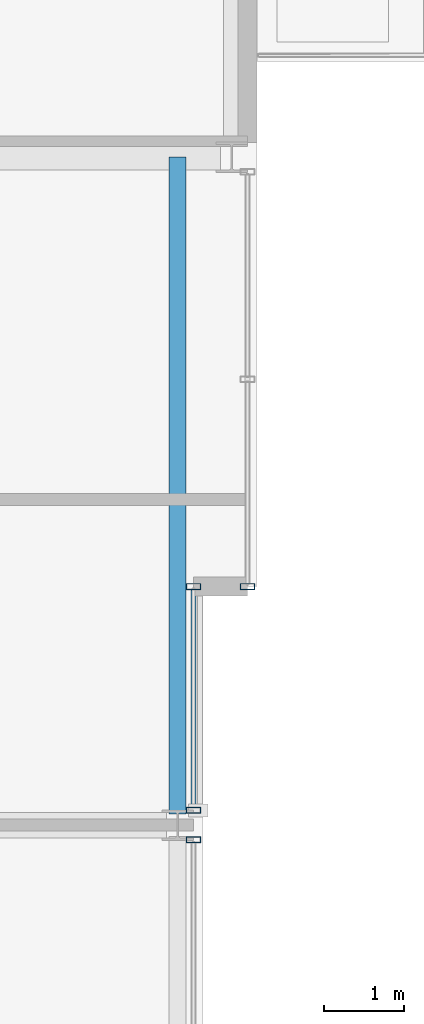
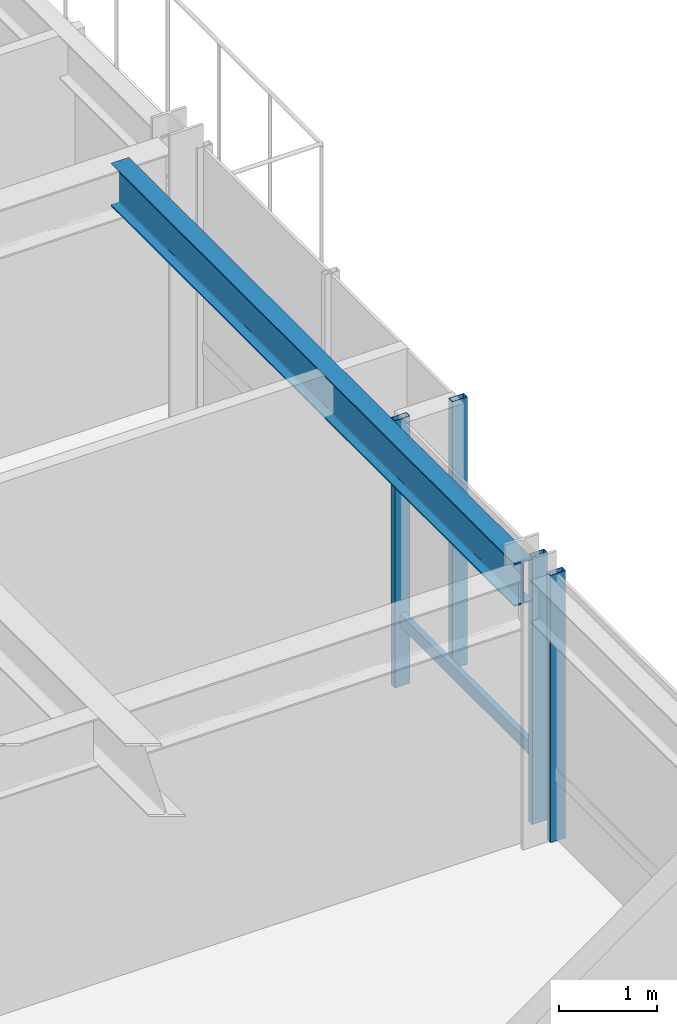
# One storey, part 16 of 33: 5 members, 1 beam, 3 elements without a shape of their own.
"""IFC4 building model written with IfcOpenShell, lengths in metres."""

from ifc_helpers import new_model, si_unit, direction, frame, origin, origin_2d, place, context, subcontext, project, spatial, hollow_rectangle, i_section, extrude, material, layer, layer_set, material_profile, profile_set, type_object, element, aggregate, save


model = new_model("IFC4")

# Units and contexts
model_context = context("Model", 3, precision=1e-05, world=origin(), true_north=direction((0.0, 1.0)))
body_context = subcontext(model_context, "Body", "Model", "MODEL_VIEW")
ifc_project = project(units=[si_unit("LENGTHUNIT", "METRE"), si_unit("AREAUNIT", "SQUARE_METRE"), si_unit("VOLUMEUNIT", "CUBIC_METRE"), si_unit("PLANEANGLEUNIT", "RADIAN"), si_unit("MASSUNIT", "GRAM", prefix="KILO")], contexts=[model_context])

# Site, building, storey
site_placement = place(None, origin())
site = spatial("IfcSite", under=ifc_project, at=site_placement, CompositionType="ELEMENT")
building_placement = place(site_placement, origin())
building = spatial("IfcBuilding", under=site, at=building_placement, Name="Drelvath Grand Hotel", CompositionType="ELEMENT")
storey_placement = place(building_placement, frame((0.0, 0.0, 212.300048828125)))
storey = spatial("IfcBuildingStorey", under=building, at=storey_placement, Name="L55", CompositionType="ELEMENT", Elevation=212.300048828125)

# Curtain wall, member
ifc_material_1 = material(Name="Platinum-Mist Anodised Aluminium Frame", Category="aluminium")
ifc_layer = layer(ifc_material_1, 0.199951171875)
ifc_layer_set = layer_set([ifc_layer], Name="Platinum-Mist Anodised Aluminium Frame")
curtain_wall_type = type_object("IfcCurtainWallType", Name="Stick Curtain Wall CW-05 Platinum Mist High-Rise", PredefinedType="NOTDEFINED", material=ifc_layer_set)
curtain_wall_1_placement = place(storey_placement, origin())
curtain_wall_1 = element("IfcCurtainWall", 1, at=curtain_wall_1_placement, inside=storey, type_object=curtain_wall_type, Name="L55 CW-05 Curtain Wall CW05-L55-EM2", PredefinedType="NOTDEFINED")
ifc_material_profile_1 = material_profile(ifc_material_1, hollow_rectangle(XDim=0.06494140625, YDim=0.159912109375, WallThickness=0.00390625, at=origin_2d()), Name="HSS160X65X4")
ifc_profile_set_1 = profile_set([ifc_material_profile_1], Name="Platinum-Mist Anodised Aluminium Frame")
member_type_1 = type_object("IfcMemberType", Name="Curtain Wall Horizontal Transom CW-05 HSS160X65X4", PredefinedType="USERDEFINED", material=ifc_profile_set_1)
member_1_placement = place(storey_placement, frame((21.39990234375, 29.9599609375, 0.8349609375), z_axis=(0.0, -1.0, 0.0), x_axis=(1.0, 0.0, 0.0)))
member_1 = element("IfcMember", 2, at=member_1_placement, type_object=member_type_1, Name="CW05-L55-EM2 Sill Transom", ObjectType="TRANSOM", PredefinedType="USERDEFINED", context=body_context, shape_type="SweptSolid", body=[
    extrude(hollow_rectangle(XDim=0.06494140625, YDim=0.159912109375, WallThickness=0.00390625, at=origin_2d()), origin(), (0.0, 0.0, 1.0), 2.734619140625),
])

curtain_wall_2_placement = place(storey_placement, origin())
curtain_wall_2 = element("IfcCurtainWall", 3, at=curtain_wall_2_placement, inside=storey, type_object=curtain_wall_type, Name="L55 CW-05 Curtain Wall CW05-L55-EN1", PredefinedType="NOTDEFINED")
ifc_material_profile_2 = material_profile(ifc_material_1, hollow_rectangle(XDim=0.074951171875, YDim=0.179931640625, WallThickness=0.0048828125, at=origin_2d()), Name="HSS180X75X5")
ifc_profile_set_2 = profile_set([ifc_material_profile_2], Name="Platinum-Mist Anodised Aluminium Frame")
member_type_2 = type_object("IfcMemberType", Name="Curtain Wall Vertical Mullion CW-05 HSS180X75X5", PredefinedType="MULLION", material=ifc_profile_set_2)
member_2_placement = place(storey_placement, frame((22.080078125, 30.0, 0.0), z_axis=(0.0, 0.0, 1.0), x_axis=(0.0, 1.0, 0.0)))
member_2 = element("IfcMember", 4, at=member_2_placement, type_object=member_type_2, Name="CW05-L55-EN1 Mullion 3", PredefinedType="MULLION", context=body_context, shape_type="SweptSolid", body=[
    extrude(hollow_rectangle(XDim=0.074951171875, YDim=0.179931640625, WallThickness=0.0048828125, at=origin_2d()), origin(), (0.0, 0.0, 1.0), 3.33984375),
])
aggregate(curtain_wall_2, [member_2])

curtain_wall_3_placement = place(storey_placement, origin())
curtain_wall_3 = element("IfcCurtainWall", 5, at=curtain_wall_3_placement, inside=storey, type_object=curtain_wall_type, Name="L55 CW-05 Curtain Wall CW05-L55-EM1", PredefinedType="NOTDEFINED")
member_3_placement = place(storey_placement, frame((21.39990234375, 26.814697265625, 0.0), z_axis=(0.0, 0.0, 1.0), x_axis=(0.0, 1.0, 0.0)))
member_3 = element("IfcMember", 6, at=member_3_placement, type_object=member_type_2, Name="CW05-L55-EM1 Mullion 1", PredefinedType="MULLION", context=body_context, shape_type="SweptSolid", body=[
    extrude(hollow_rectangle(XDim=0.074951171875, YDim=0.179931640625, WallThickness=0.0048828125, at=origin_2d()), origin(), (0.0, 0.0, 1.0), 3.33984375),
])
aggregate(curtain_wall_3, [member_3])

# Member
member_4_placement = place(storey_placement, frame((21.39990234375, 30.0, 0.0), z_axis=(0.0, 0.0, 1.0), x_axis=(0.0, 1.0, 0.0)))
member_4 = element("IfcMember", 7, at=member_4_placement, type_object=member_type_2, Name="CW05-L55-EM2 Mullion 1", PredefinedType="MULLION", context=body_context, shape_type="SweptSolid", body=[
    extrude(hollow_rectangle(XDim=0.074951171875, YDim=0.179931640625, WallThickness=0.0048828125, at=origin_2d()), origin(), (0.0, 0.0, 1.0), 3.33984375),
])

member_5_placement = place(storey_placement, frame((21.39990234375, 27.185302734375, 0.0), z_axis=(0.0, 0.0, 1.0), x_axis=(0.0, 1.0, 0.0)))
member_5 = element("IfcMember", 8, at=member_5_placement, type_object=member_type_2, Name="CW05-L55-EM2 Mullion 2", PredefinedType="MULLION", context=body_context, shape_type="SweptSolid", body=[
    extrude(hollow_rectangle(XDim=0.074951171875, YDim=0.179931640625, WallThickness=0.0048828125, at=origin_2d()), origin(), (0.0, 0.0, 1.0), 3.33984375),
])

aggregate(curtain_wall_1, [member_4, member_5, member_1])

# Beam
ifc_material_2 = material(Name="Steel ASTM A992 Gr 50", Category="steel")
ifc_material_profile_3 = material_profile(ifc_material_2, i_section(OverallWidth=0.210205078125, OverallDepth=0.53662109375, WebThickness=0.010986328125, FlangeThickness=0.017333984375, FilletRadius=0.01806640625, at=origin_2d()), Name="W21X68")
ifc_profile_set_3 = profile_set([ifc_material_profile_3], Name="Steel ASTM A992 Gr 50")
beam_type = type_object("IfcBeamType", Name="Perimeter Spandrel Beam W21X68", PredefinedType="SPANDREL", material=ifc_profile_set_3)
beam_placement = place(storey_placement, frame((21.199951171875, 27.139892578125, 3.071533203125), z_axis=(0.0, 1.0, 0.0), x_axis=(-1.0, 0.0, 0.0)))
element("IfcBeam", 9, at=beam_placement, inside=storey, type_object=beam_type, Name="L55 Spandrel East Mid N", PredefinedType="SPANDREL", context=body_context, shape_type="SweptSolid", body=[
    extrude(i_section(OverallWidth=0.210205078125, OverallDepth=0.53662109375, WebThickness=0.010986328125, FlangeThickness=0.017333984375, FilletRadius=0.01806640625, at=origin_2d()), origin(), (0.0, 0.0, 1.0), 8.260009765625),
])

save(model, "model.ifc")
